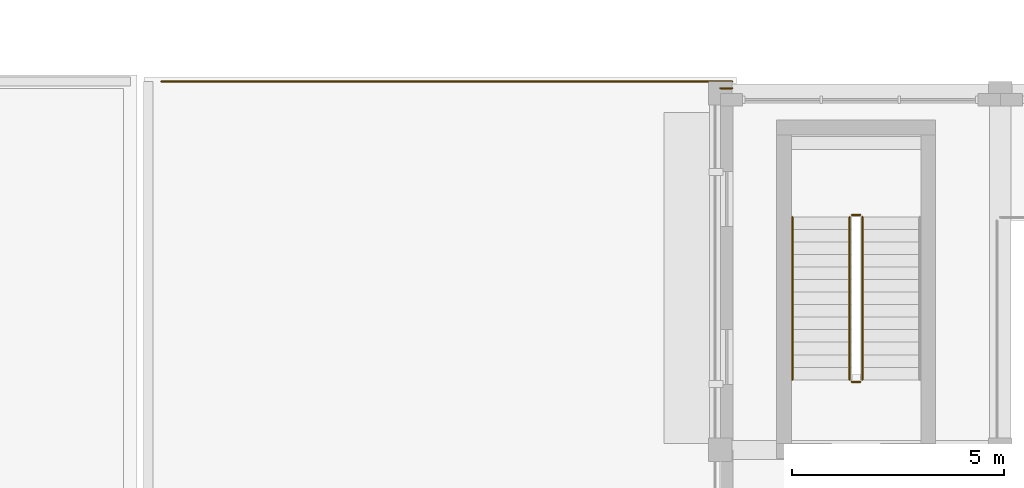
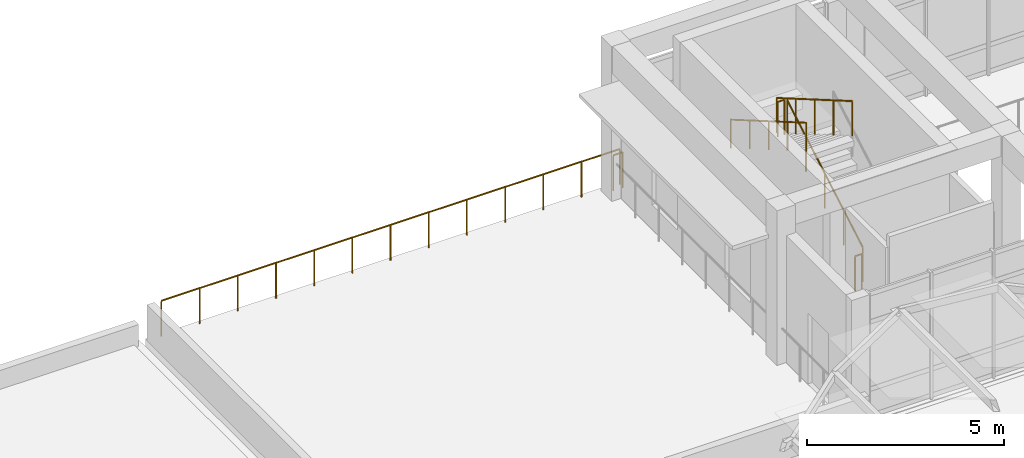
# One storey, part 72 of 79: 7 railings.
"""IFC4 building model written with IfcOpenShell, lengths in metres."""

from ifc_helpers import new_model, si_unit, direction, frame, origin, origin_2d, place, context, subcontext, project, spatial, circle, extrude, material, layer, layer_set, type_object, element, save


model = new_model("IFC4")

# Units and contexts
model_context = context("Model", 3, precision=1e-05, world=origin(), true_north=direction((0.0, 1.0)))
body_context = subcontext(model_context, "Body", "Model", "MODEL_VIEW")
ifc_project = project(units=[si_unit("LENGTHUNIT", "METRE"), si_unit("AREAUNIT", "SQUARE_METRE"), si_unit("VOLUMEUNIT", "CUBIC_METRE"), si_unit("PLANEANGLEUNIT", "RADIAN"), si_unit("MASSUNIT", "GRAM", prefix="KILO")], contexts=[model_context])

# Site, building, storey
site_placement = place(None, origin())
site = spatial("IfcSite", under=ifc_project, at=site_placement, CompositionType="ELEMENT")
building_placement = place(site_placement, origin())
building = spatial("IfcBuilding", under=site, at=building_placement, Name="Kolvaren Faculty of Natural Sciences", CompositionType="ELEMENT")
storey_placement = place(building_placement, frame((0.0, 0.0, 10.199951171875)))
storey = spatial("IfcBuildingStorey", under=building, at=storey_placement, Name="L02", CompositionType="ELEMENT", Elevation=10.199951171875)

# Railings
ifc_material = material(Name="Structural steel EN 10210-1 S355J2H", Category="steel")
ifc_layer_1 = layer(ifc_material, 0.048095703125)
ifc_layer_set_1 = layer_set([ifc_layer_1], Name="Structural steel EN 10210-1 S355J2H")
railing_type_1 = type_object("IfcRailingType", Name="GuardRailing_GRD110", PredefinedType="BALUSTRADE", material=ifc_layer_set_1)
railing_1_placement = place(storey_placement, frame((46.429931640625, 84.47998046875, 0.0)))
element("IfcRailing", 1, at=railing_1_placement, inside=storey, type_object=railing_type_1, Name="L02 West Street Canopy Overlook Roof Terrace perimeter balustrade 1", PredefinedType="BALUSTRADE", context=body_context, shape_type="SweptSolid", body=[
    extrude(circle(Radius=0.02392578125, at=origin_2d()), frame((0.0, 0.0, 1.09619140625), z_axis=(1.0, 0.0, 0.0), x_axis=(0.0, 1.0, 0.0)), (0.0, 0.0, 1.0), 13.449951171875),
    extrude(circle(Radius=0.02099609375, at=origin_2d()), origin(), (0.0, 0.0, 1.0), 1.072021484375),
    extrude(circle(Radius=0.02099609375, at=origin_2d()), frame((1.120849609375, 0.0, 0.0)), (0.0, 0.0, 1.0), 1.072021484375),
    extrude(circle(Radius=0.02099609375, at=origin_2d()), frame((2.24169921875, 0.0, 0.0)), (0.0, 0.0, 1.0), 1.072021484375),
    extrude(circle(Radius=0.02099609375, at=origin_2d()), frame((3.362548828125, 0.0, 0.0)), (0.0, 0.0, 1.0), 1.072021484375),
    extrude(circle(Radius=0.02099609375, at=origin_2d()), frame((4.4833984375, 0.0, 0.0)), (0.0, 0.0, 1.0), 1.072021484375),
    extrude(circle(Radius=0.02099609375, at=origin_2d()), frame((5.604248046875, 0.0, 0.0)), (0.0, 0.0, 1.0), 1.072021484375),
    extrude(circle(Radius=0.02099609375, at=origin_2d()), frame((6.72509765625, 0.0, 0.0)), (0.0, 0.0, 1.0), 1.072021484375),
    extrude(circle(Radius=0.02099609375, at=origin_2d()), frame((7.845703125, 0.0, 0.0)), (0.0, 0.0, 1.0), 1.072021484375),
    extrude(circle(Radius=0.02099609375, at=origin_2d()), frame((8.966552734375, 0.0, 0.0)), (0.0, 0.0, 1.0), 1.072021484375),
    extrude(circle(Radius=0.02099609375, at=origin_2d()), frame((10.08740234375, 0.0, 0.0)), (0.0, 0.0, 1.0), 1.072021484375),
    extrude(circle(Radius=0.02099609375, at=origin_2d()), frame((11.208251953125, 0.0, 0.0)), (0.0, 0.0, 1.0), 1.072021484375),
    extrude(circle(Radius=0.02099609375, at=origin_2d()), frame((12.3291015625, 0.0, 0.0)), (0.0, 0.0, 1.0), 1.072021484375),
    extrude(circle(Radius=0.02099609375, at=origin_2d()), frame((13.449951171875, 0.0, 0.0)), (0.0, 0.0, 1.0), 1.072021484375),
])
railing_2_placement = place(storey_placement, frame((59.8798828125, 84.320068359375, 0.0)))
element("IfcRailing", 2, at=railing_2_placement, inside=storey, type_object=railing_type_1, Name="L02 West Street Canopy Overlook Roof Terrace perimeter balustrade 2", PredefinedType="BALUSTRADE", context=body_context, shape_type="SweptSolid", body=[
    extrude(circle(Radius=0.02392578125, at=origin_2d()), frame((0.0, 0.0, 1.09619140625), z_axis=(-1.0, 0.0, 0.0), x_axis=(0.0, -1.0, 0.0)), (0.0, 0.0, 1.0), 0.27978515625),
    extrude(circle(Radius=0.02099609375, at=origin_2d()), origin(), (0.0, 0.0, 1.0), 1.072021484375),
    extrude(circle(Radius=0.02099609375, at=origin_2d()), frame((-0.27978515625, 0.0, 0.0)), (0.0, 0.0, 1.0), 1.072021484375),
])
ifc_layer_2 = layer(ifc_material, 0.048095703125)
ifc_layer_set_2 = layer_set([ifc_layer_2], Name="Structural steel EN 10210-1 S355J2H")
railing_type_2 = type_object("IfcRailingType", Name="StairPitchHandrail_920", PredefinedType="HANDRAIL", material=ifc_layer_set_2)
railing_3_placement = place(storey_placement, frame((61.300048828125, 81.284912109375, 2.571533203125)))
element("IfcRailing", 3, at=railing_3_placement, inside=storey, type_object=railing_type_2, Name="L02 ST-6 stair handrail 2", PredefinedType="HANDRAIL", context=body_context, shape_type="SweptSolid", body=[
    extrude(circle(Radius=0.02392578125, at=origin_2d()), frame((0.0, 0.0, 0.8759765625), z_axis=(0.0, -0.86461618451, 0.502432934314), x_axis=(1.0, 0.0, 0.0)), (0.0, 0.0, 1.0), 4.435546875),
    extrude(circle(Radius=0.02099609375, at=origin_2d()), origin(), (0.0, 0.0, 1.0), 0.851806640625),
    extrude(circle(Radius=0.02099609375, at=origin_2d()), frame((0.0, -0.958740234375, 0.55712890625)), (0.0, 0.0, 1.0), 0.851806640625),
    extrude(circle(Radius=0.02099609375, at=origin_2d()), frame((0.0, -1.91748046875, 1.1142578125)), (0.0, 0.0, 1.0), 0.851806640625),
    extrude(circle(Radius=0.02099609375, at=origin_2d()), frame((0.0, -2.876220703125, 1.67138671875)), (0.0, 0.0, 1.0), 0.851806640625),
    extrude(circle(Radius=0.02099609375, at=origin_2d()), frame((0.0, -3.8349609375, 2.228515625)), (0.0, 0.0, 1.0), 0.851806640625),
])
ifc_layer_3 = layer(ifc_material, 0.048095703125)
ifc_layer_set_3 = layer_set([ifc_layer_3], Name="Structural steel EN 10210-1 S355J2H")
railing_type_3 = type_object("IfcRailingType", Name="StairWellGuard_1100", PredefinedType="BALUSTRADE", material=ifc_layer_set_3)
railing_4_placement = place(storey_placement, frame((62.949951171875, 77.449951171875, 0.17138671875)))
element("IfcRailing", 4, at=railing_4_placement, inside=storey, type_object=railing_type_3, Name="L02 ST-6 stair guard 1", PredefinedType="BALUSTRADE", context=body_context, shape_type="SweptSolid", body=[
    extrude(circle(Radius=0.02392578125, at=origin_2d()), frame((0.0, 0.0, 1.076171875), z_axis=(0.0, 0.864592272851, 0.502474080651), x_axis=(-1.0, 0.0, 0.0)), (0.0, 0.0, 1.0), 4.435546875),
    extrude(circle(Radius=0.02099609375, at=origin_2d()), origin(), (0.0, 0.0, 1.0), 1.052001953125),
    extrude(circle(Radius=0.02099609375, at=origin_2d()), frame((0.0, 0.958740234375, 0.55712890625)), (0.0, 0.0, 1.0), 1.052001953125),
    extrude(circle(Radius=0.02099609375, at=origin_2d()), frame((0.0, 1.91748046875, 1.1142578125)), (0.0, 0.0, 1.0), 1.052001953125),
    extrude(circle(Radius=0.02099609375, at=origin_2d()), frame((0.0, 2.876220703125, 1.671630859375)), (0.0, 0.0, 1.0), 1.052001953125),
    extrude(circle(Radius=0.02099609375, at=origin_2d()), frame((0.0, 3.8349609375, 2.228759765625)), (0.0, 0.0, 1.0), 1.052001953125),
])
railing_5_placement = place(storey_placement, frame((62.89990234375, 81.3349609375, 2.400146484375)))
element("IfcRailing", 5, at=railing_5_placement, inside=storey, type_object=railing_type_3, Name="L02 ST-6 stair guard 2", PredefinedType="BALUSTRADE", context=body_context, shape_type="SweptSolid", body=[
    extrude(circle(Radius=0.02392578125, at=origin_2d()), frame((0.0, 0.0, 1.076171875), z_axis=(-1.0, 0.0, 0.0), x_axis=(0.0, -1.0, 0.0)), (0.0, 0.0, 1.0), 0.199951171875),
    extrude(circle(Radius=0.02099609375, at=origin_2d()), origin(), (0.0, 0.0, 1.0), 1.052001953125),
    extrude(circle(Radius=0.02099609375, at=origin_2d()), frame((-0.199951171875, 0.0, 0.0)), (0.0, 0.0, 1.0), 1.052001953125),
])
railing_6_placement = place(storey_placement, frame((62.64990234375, 81.284912109375, 2.571533203125)))
element("IfcRailing", 6, at=railing_6_placement, inside=storey, type_object=railing_type_3, Name="L02 ST-6 stair guard 3", PredefinedType="BALUSTRADE", context=body_context, shape_type="SweptSolid", body=[
    extrude(circle(Radius=0.02392578125, at=origin_2d()), frame((0.0, 0.0, 1.076171875), z_axis=(0.0, -0.86461618451, 0.502432934314), x_axis=(1.0, 0.0, 0.0)), (0.0, 0.0, 1.0), 4.435546875),
    extrude(circle(Radius=0.02099609375, at=origin_2d()), origin(), (0.0, 0.0, 1.0), 1.052001953125),
    extrude(circle(Radius=0.02099609375, at=origin_2d()), frame((0.0, -0.958740234375, 0.55712890625)), (0.0, 0.0, 1.0), 1.052001953125),
    extrude(circle(Radius=0.02099609375, at=origin_2d()), frame((0.0, -1.91748046875, 1.1142578125)), (0.0, 0.0, 1.0), 1.052001953125),
    extrude(circle(Radius=0.02099609375, at=origin_2d()), frame((0.0, -2.876220703125, 1.67138671875)), (0.0, 0.0, 1.0), 1.052001953125),
    extrude(circle(Radius=0.02099609375, at=origin_2d()), frame((0.0, -3.8349609375, 2.228515625)), (0.0, 0.0, 1.0), 1.052001953125),
])
railing_7_placement = place(storey_placement, frame((62.89990234375, 77.39990234375, 0.0)))
element("IfcRailing", 7, at=railing_7_placement, inside=storey, type_object=railing_type_3, Name="L02 ST-6 stair guard 4", PredefinedType="BALUSTRADE", context=body_context, shape_type="SweptSolid", body=[
    extrude(circle(Radius=0.02392578125, at=origin_2d()), frame((0.0, 0.0, 1.076171875), z_axis=(-1.0, 0.0, 0.0), x_axis=(0.0, -1.0, 0.0)), (0.0, 0.0, 1.0), 0.199951171875),
    extrude(circle(Radius=0.02099609375, at=origin_2d()), origin(), (0.0, 0.0, 1.0), 1.052001953125),
    extrude(circle(Radius=0.02099609375, at=origin_2d()), frame((-0.199951171875, 0.0, 0.0)), (0.0, 0.0, 1.0), 1.052001953125),
])

save(model, "model.ifc")
